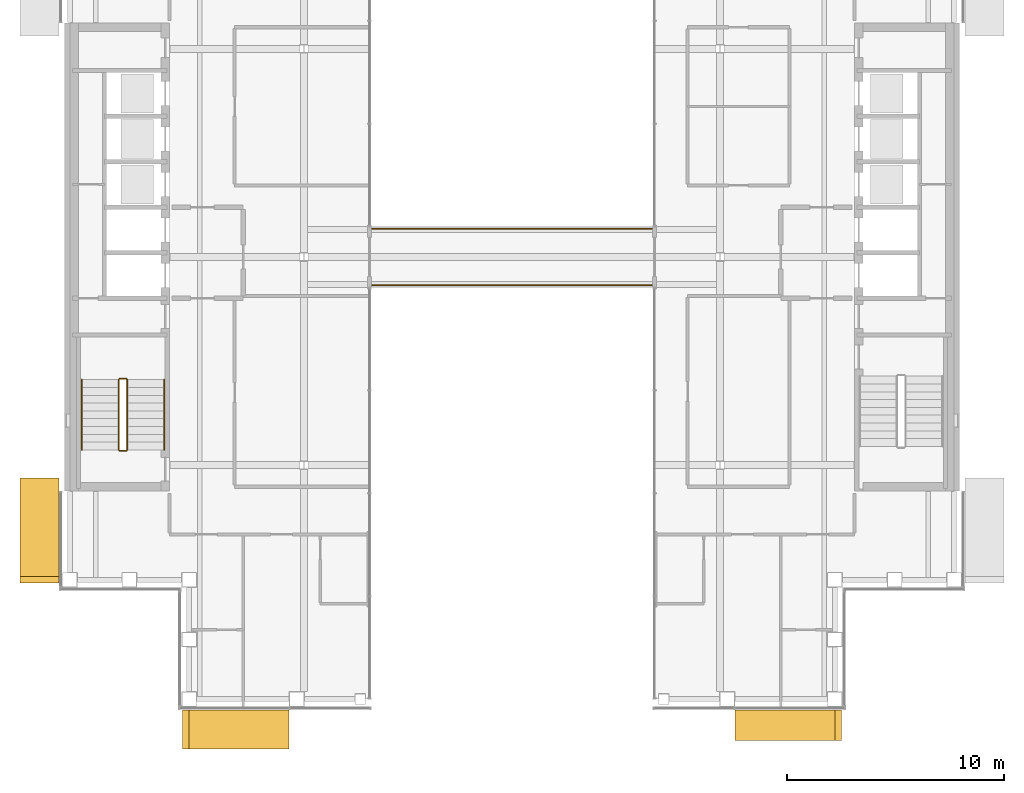
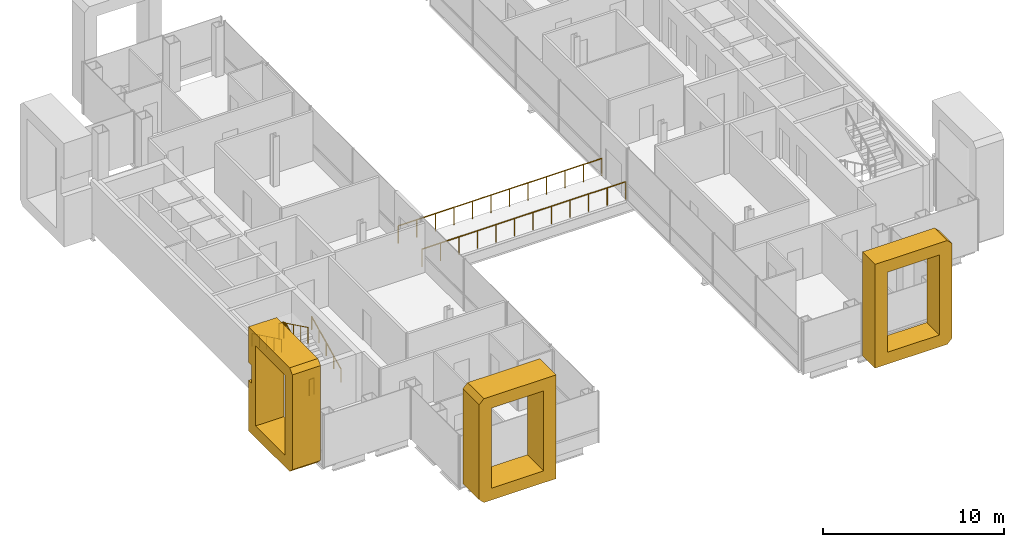
# One storey, part 14 of 17: 8 railings, 3 coverings.
"""IFC4 building model written with IfcOpenShell, lengths in metres."""

from ifc_helpers import new_model, si_unit, direction, frame, origin, origin_2d, place, context, subcontext, project, spatial, polyline, circle, outline, extrude, material, type_object, element, save


model = new_model("IFC4")

# Units and contexts
model_context = context("Model", 3, precision=1e-05, world=origin(), true_north=direction((0.0, 1.0)))
body_context = subcontext(model_context, "Body", "Model", "MODEL_VIEW")
ifc_project = project(units=[si_unit("LENGTHUNIT", "METRE"), si_unit("AREAUNIT", "SQUARE_METRE"), si_unit("VOLUMEUNIT", "CUBIC_METRE"), si_unit("PLANEANGLEUNIT", "RADIAN"), si_unit("MASSUNIT", "GRAM", prefix="KILO")], contexts=[model_context])

# Site, building, storey
site_placement = place(None, origin())
site = spatial("IfcSite", under=ifc_project, at=site_placement, CompositionType="ELEMENT")
building_placement = place(site_placement, origin())
building = spatial("IfcBuilding", under=site, at=building_placement, Name="Cobrizo Arcos Hotel Tower", CompositionType="ELEMENT")
storey_placement = place(building_placement, frame((0.0, 0.0, 226.0)))
storey = spatial("IfcBuildingStorey", under=building, at=storey_placement, Name="L59", CompositionType="ELEMENT", Elevation=226.0)

# Coverings
ifc_material_1 = material(Name="Aluminium 6063-T6 anodised bronze", Category="aluminium")
covering_type_1 = type_object("IfcCoveringType", Name="FIN-F 1400", PredefinedType="CLADDING", material=ifc_material_1)
covering_1_placement = place(storey_placement, frame((10.291748046875, -20.89990234375, 0.0), z_axis=(0.0, -1.0, 0.0), x_axis=(1.0, 0.0, 0.0)))
element("IfcCovering", 1, at=covering_1_placement, inside=storey, type_object=covering_type_1, Name="Fin frame 342", PredefinedType="CLADDING", context=body_context, shape_type="SweptSolid", body=[
    extrude(outline(polyline([(0.0, 7.0), (0.0, 0.0), (4.6083984375, 0.0), (4.908203125, 0.300048828125), (4.908203125, 6.699951171875), (4.6083984375, 7.0), (0.0, 7.0)]), holes=[polyline([(4.1083984375, 0.800048828125), (0.800048828125, 0.800048828125), (0.800048828125, 6.199951171875), (4.1083984375, 6.199951171875), (4.1083984375, 0.800048828125)])]), origin(), (0.0, 0.0, 1.0), 1.400146484375),
])
covering_type_2 = type_object("IfcCoveringType", Name="FIN-F 1800", PredefinedType="CLADDING", material=ifc_material_1)
covering_2_placement = place(storey_placement, frame((-15.199951171875, -20.89990234375, 0.0), z_axis=(0.0, -1.0, 0.0), x_axis=(1.0, 0.0, 0.0)))
element("IfcCovering", 2, at=covering_2_placement, inside=storey, type_object=covering_type_2, Name="Fin frame 341", PredefinedType="CLADDING", context=body_context, shape_type="SweptSolid", body=[
    extrude(outline(polyline([(0.0, 0.300048828125), (0.300048828125, 0.0), (4.908203125, 0.0), (4.908203125, 7.0), (0.300048828125, 7.0), (0.0, 6.699951171875), (0.0, 0.300048828125)]), holes=[polyline([(4.1083984375, 0.800048828125), (0.800048828125, 0.800048828125), (0.800048828125, 6.199951171875), (4.1083984375, 6.199951171875), (4.1083984375, 0.800048828125)])]), origin(), (0.0, 0.0, 1.0), 1.800048828125),
])
covering_3_placement = place(storey_placement, frame((-20.89990234375, -10.191650390625, 0.0), z_axis=(-1.0, 0.0, 0.0), x_axis=(0.0, -1.0, 0.0)))
element("IfcCovering", 3, at=covering_3_placement, inside=storey, type_object=covering_type_2, Name="Fin frame 360", PredefinedType="CLADDING", context=body_context, shape_type="SweptSolid", body=[
    extrude(outline(polyline([(0.0, 7.0), (0.0, 4.60205078125), (0.343505859375, 4.60205078125), (0.343505859375, 3.39794921875), (0.0, 3.39794921875), (0.0, 0.0), (4.558349609375, 0.0), (4.8583984375, 0.300048828125), (4.8583984375, 6.699951171875), (4.558349609375, 7.0), (0.0, 7.0)]), holes=[polyline([(4.058349609375, 0.800048828125), (0.800048828125, 0.800048828125), (0.800048828125, 6.199951171875), (4.058349609375, 6.199951171875), (4.058349609375, 0.800048828125)])]), origin(), (0.0, 0.0, 1.0), 1.800048828125),
])

# Railings
ifc_material_2 = material(Name="Stainless steel railing", Category="steel")
railing_type_1 = type_object("IfcRailingType", Name="Sky bridge guard 1200", PredefinedType="GUARDRAIL", material=ifc_material_2)
for number, where, name in (
    (4, (-6.5, 1.300048828125, 0.0), "Sky bridge north guard"),
    (5, (-6.5, -1.300048828125, 0.0), "Sky bridge south guard"),
):
    element("IfcRailing", number, at=place(storey_placement, frame(where)), inside=storey, type_object=railing_type_1, Name=name, PredefinedType="GUARDRAIL", context=body_context, shape_type="SweptSolid", body=[
        extrude(circle(Radius=0.02392578125, at=origin_2d()), frame((0.0, 0.0, 1.17578125), z_axis=(1.0, 0.0, 0.0), x_axis=(0.0, 1.0, 0.0)), (0.0, 0.0, 1.0), 13.0),
        extrude(circle(Radius=0.02099609375, at=origin_2d()), origin(), (0.0, 0.0, 1.0), 1.15185546875),
        extrude(circle(Radius=0.02099609375, at=origin_2d()), frame((1.181884765625, 0.0, 0.0)), (0.0, 0.0, 1.0), 1.15185546875),
        extrude(circle(Radius=0.02099609375, at=origin_2d()), frame((2.363525390625, 0.0, 0.0)), (0.0, 0.0, 1.0), 1.15185546875),
        extrude(circle(Radius=0.02099609375, at=origin_2d()), frame((3.54541015625, 0.0, 0.0)), (0.0, 0.0, 1.0), 1.15185546875),
        extrude(circle(Radius=0.02099609375, at=origin_2d()), frame((4.727294921875, 0.0, 0.0)), (0.0, 0.0, 1.0), 1.15185546875),
        extrude(circle(Radius=0.02099609375, at=origin_2d()), frame((5.9091796875, 0.0, 0.0)), (0.0, 0.0, 1.0), 1.15185546875),
        extrude(circle(Radius=0.02099609375, at=origin_2d()), frame((7.0908203125, 0.0, 0.0)), (0.0, 0.0, 1.0), 1.15185546875),
        extrude(circle(Radius=0.02099609375, at=origin_2d()), frame((8.272705078125, 0.0, 0.0)), (0.0, 0.0, 1.0), 1.15185546875),
        extrude(circle(Radius=0.02099609375, at=origin_2d()), frame((9.45458984375, 0.0, 0.0)), (0.0, 0.0, 1.0), 1.15185546875),
        extrude(circle(Radius=0.02099609375, at=origin_2d()), frame((10.636474609375, 0.0, 0.0)), (0.0, 0.0, 1.0), 1.15185546875),
        extrude(circle(Radius=0.02099609375, at=origin_2d()), frame((11.818115234375, 0.0, 0.0)), (0.0, 0.0, 1.0), 1.15185546875),
        extrude(circle(Radius=0.02099609375, at=origin_2d()), frame((13.0, 0.0, 0.0)), (0.0, 0.0, 1.0), 1.15185546875),
    ])
railing_type_2 = type_object("IfcRailingType", Name="Stair guard 1100", PredefinedType="GUARDRAIL", material=ifc_material_2)
railing_1_placement = place(storey_placement, frame((-17.75, -8.89990234375, 0.175048828125)))
element("IfcRailing", 6, at=railing_1_placement, inside=storey, type_object=railing_type_2, Name="L59 ST-W stair guard 1", PredefinedType="GUARDRAIL", context=body_context, shape_type="SweptSolid", body=[
    extrude(circle(Radius=0.02392578125, at=origin_2d()), frame((0.0, 0.0, 1.076171875), z_axis=(0.0, 0.899372665325, 0.437182809435), x_axis=(-1.0, 0.0, 0.0)), (0.0, 0.0, 1.0), 3.6025390625),
    extrude(circle(Radius=0.02099609375, at=origin_2d()), origin(), (0.0, 0.0, 1.0), 1.052001953125),
    extrude(circle(Radius=0.02099609375, at=origin_2d()), frame((0.0, 0.81005859375, 0.393798828125)), (0.0, 0.0, 1.0), 1.052001953125),
    extrude(circle(Radius=0.02099609375, at=origin_2d()), frame((0.0, 1.6201171875, 0.78759765625)), (0.0, 0.0, 1.0), 1.052001953125),
    extrude(circle(Radius=0.02099609375, at=origin_2d()), frame((0.0, 2.429931640625, 1.18115234375)), (0.0, 0.0, 1.0), 1.052001953125),
    extrude(circle(Radius=0.02099609375, at=origin_2d()), frame((0.0, 3.239990234375, 1.574951171875)), (0.0, 0.0, 1.0), 1.052001953125),
])
railing_2_placement = place(storey_placement, frame((-17.800048828125, -5.610107421875, 1.75)))
element("IfcRailing", 7, at=railing_2_placement, inside=storey, type_object=railing_type_2, Name="L59 ST-W stair guard 2", PredefinedType="GUARDRAIL", context=body_context, shape_type="SweptSolid", body=[
    extrude(circle(Radius=0.02392578125, at=origin_2d()), frame((0.0, 0.0, 1.076171875), z_axis=(-1.0, 0.0, 0.0), x_axis=(0.0, -1.0, 0.0)), (0.0, 0.0, 1.0), 0.300048828125),
    extrude(circle(Radius=0.02099609375, at=origin_2d()), origin(), (0.0, 0.0, 1.0), 1.052001953125),
    extrude(circle(Radius=0.02099609375, at=origin_2d()), frame((-0.300048828125, 0.0, 0.0)), (0.0, 0.0, 1.0), 1.052001953125),
])
railing_3_placement = place(storey_placement, frame((-18.14990234375, -5.659912109375, 1.925048828125)))
element("IfcRailing", 8, at=railing_3_placement, inside=storey, type_object=railing_type_2, Name="L59 ST-W stair guard 3", PredefinedType="GUARDRAIL", context=body_context, shape_type="SweptSolid", body=[
    extrude(circle(Radius=0.02392578125, at=origin_2d()), frame((0.0, 0.0, 1.076171875), z_axis=(0.0, -0.899372665325, 0.437182809435), x_axis=(1.0, 0.0, 0.0)), (0.0, 0.0, 1.0), 3.6025390625),
    extrude(circle(Radius=0.02099609375, at=origin_2d()), origin(), (0.0, 0.0, 1.0), 1.052001953125),
    extrude(circle(Radius=0.02099609375, at=origin_2d()), frame((0.0, -0.81005859375, 0.393798828125)), (0.0, 0.0, 1.0), 1.052001953125),
    extrude(circle(Radius=0.02099609375, at=origin_2d()), frame((0.0, -1.6201171875, 0.78759765625)), (0.0, 0.0, 1.0), 1.052001953125),
    extrude(circle(Radius=0.02099609375, at=origin_2d()), frame((0.0, -2.429931640625, 1.18115234375)), (0.0, 0.0, 1.0), 1.052001953125),
    extrude(circle(Radius=0.02099609375, at=origin_2d()), frame((0.0, -3.239990234375, 1.574951171875)), (0.0, 0.0, 1.0), 1.052001953125),
])
railing_4_placement = place(storey_placement, frame((-17.800048828125, -8.949951171875, 0.0)))
element("IfcRailing", 9, at=railing_4_placement, inside=storey, type_object=railing_type_2, Name="L59 ST-W stair guard 4", PredefinedType="GUARDRAIL", context=body_context, shape_type="SweptSolid", body=[
    extrude(circle(Radius=0.02392578125, at=origin_2d()), frame((0.0, 0.0, 1.076171875), z_axis=(-1.0, 0.0, 0.0), x_axis=(0.0, -1.0, 0.0)), (0.0, 0.0, 1.0), 0.300048828125),
    extrude(circle(Radius=0.02099609375, at=origin_2d()), origin(), (0.0, 0.0, 1.0), 1.052001953125),
    extrude(circle(Radius=0.02099609375, at=origin_2d()), frame((-0.300048828125, 0.0, 0.0)), (0.0, 0.0, 1.0), 1.052001953125),
])
railing_type_3 = type_object("IfcRailingType", Name="Stair handrail", PredefinedType="HANDRAIL", material=ifc_material_2)
railing_5_placement = place(storey_placement, frame((-16.050048828125, -8.89990234375, 0.175048828125)))
element("IfcRailing", 10, at=railing_5_placement, inside=storey, type_object=railing_type_3, Name="L59 ST-W stair handrail 1", PredefinedType="HANDRAIL", context=body_context, shape_type="SweptSolid", body=[
    extrude(circle(Radius=0.02392578125, at=origin_2d()), frame((0.0, 0.0, 0.8759765625), z_axis=(0.0, 0.899372665325, 0.437182809435), x_axis=(-1.0, 0.0, 0.0)), (0.0, 0.0, 1.0), 3.6025390625),
    extrude(circle(Radius=0.02099609375, at=origin_2d()), origin(), (0.0, 0.0, 1.0), 0.851806640625),
    extrude(circle(Radius=0.02099609375, at=origin_2d()), frame((0.0, 0.81005859375, 0.393798828125)), (0.0, 0.0, 1.0), 0.851806640625),
    extrude(circle(Radius=0.02099609375, at=origin_2d()), frame((0.0, 1.6201171875, 0.78759765625)), (0.0, 0.0, 1.0), 0.851806640625),
    extrude(circle(Radius=0.02099609375, at=origin_2d()), frame((0.0, 2.429931640625, 1.18115234375)), (0.0, 0.0, 1.0), 0.851806640625),
    extrude(circle(Radius=0.02099609375, at=origin_2d()), frame((0.0, 3.239990234375, 1.574951171875)), (0.0, 0.0, 1.0), 0.851806640625),
])
railing_6_placement = place(storey_placement, frame((-19.85009765625, -5.659912109375, 1.925048828125)))
element("IfcRailing", 11, at=railing_6_placement, inside=storey, type_object=railing_type_3, Name="L59 ST-W stair handrail 2", PredefinedType="HANDRAIL", context=body_context, shape_type="SweptSolid", body=[
    extrude(circle(Radius=0.02392578125, at=origin_2d()), frame((0.0, 0.0, 0.8759765625), z_axis=(0.0, -0.899372665325, 0.437182809435), x_axis=(1.0, 0.0, 0.0)), (0.0, 0.0, 1.0), 3.6025390625),
    extrude(circle(Radius=0.02099609375, at=origin_2d()), origin(), (0.0, 0.0, 1.0), 0.851806640625),
    extrude(circle(Radius=0.02099609375, at=origin_2d()), frame((0.0, -0.81005859375, 0.393798828125)), (0.0, 0.0, 1.0), 0.851806640625),
    extrude(circle(Radius=0.02099609375, at=origin_2d()), frame((0.0, -1.6201171875, 0.78759765625)), (0.0, 0.0, 1.0), 0.851806640625),
    extrude(circle(Radius=0.02099609375, at=origin_2d()), frame((0.0, -2.429931640625, 1.18115234375)), (0.0, 0.0, 1.0), 0.851806640625),
    extrude(circle(Radius=0.02099609375, at=origin_2d()), frame((0.0, -3.239990234375, 1.574951171875)), (0.0, 0.0, 1.0), 0.851806640625),
])

save(model, "model.ifc")
